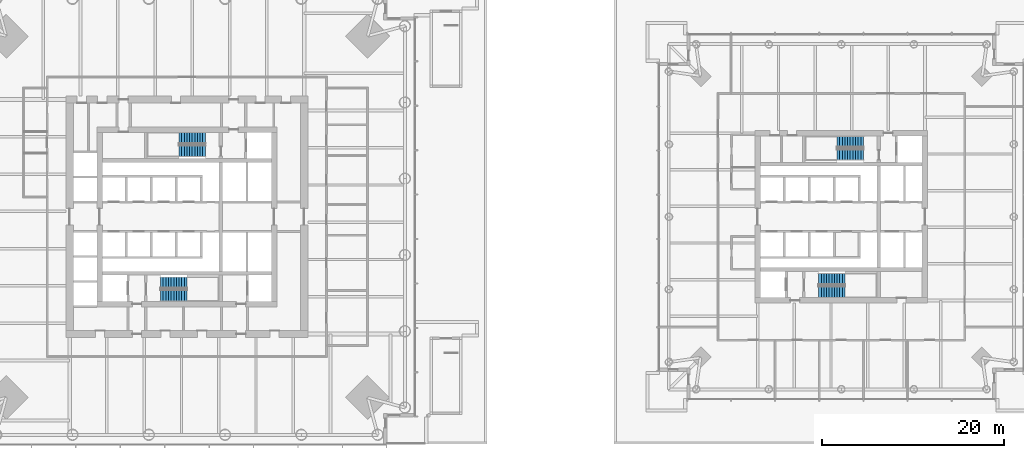
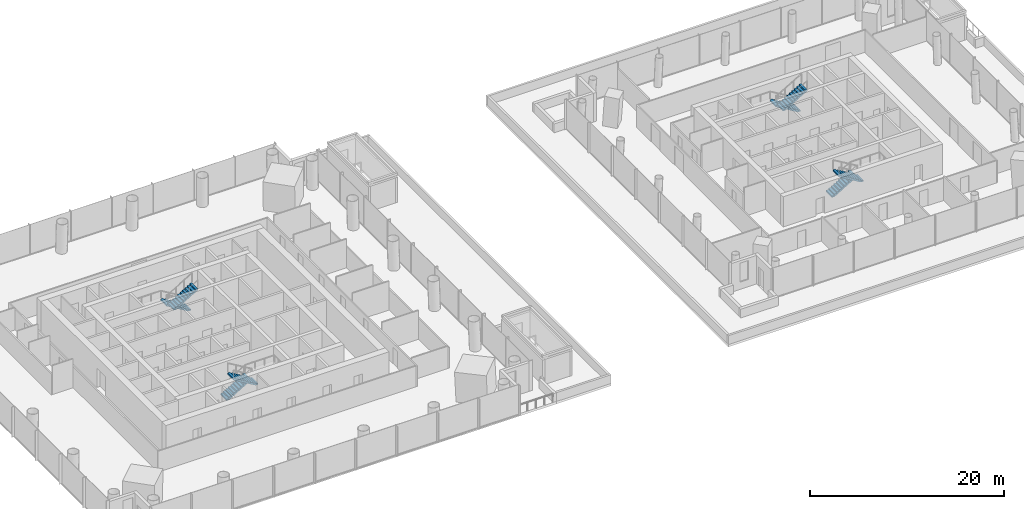
# One storey, part 17 of 19: 8 stair flights, 4 elements without a shape of their own.
"""IFC4 building model written with IfcOpenShell, lengths in metres."""

from ifc_helpers import new_model, si_unit, direction, frame, origin, place, context, subcontext, project, spatial, polyline, outline, extrude, material, type_object, element, aggregate, save


model = new_model("IFC4")

# Units and contexts
model_context = context("Model", 3, precision=1e-05, world=origin(), true_north=direction((0.0, 1.0)))
body_context = subcontext(model_context, "Body", "Model", "MODEL_VIEW")
ifc_project = project(units=[si_unit("LENGTHUNIT", "METRE"), si_unit("AREAUNIT", "SQUARE_METRE"), si_unit("VOLUMEUNIT", "CUBIC_METRE"), si_unit("PLANEANGLEUNIT", "RADIAN"), si_unit("MASSUNIT", "GRAM", prefix="KILO")], contexts=[model_context])

# Site, building, storey
site_placement = place(None, origin())
site = spatial("IfcSite", under=ifc_project, at=site_placement, CompositionType="ELEMENT")
building_placement = place(site_placement, origin())
building = spatial("IfcBuilding", under=site, at=building_placement, Name="Ostroluk Exchange", CompositionType="ELEMENT")
storey_placement = place(building_placement, frame((0.0, 0.0, 21.0)))
storey = spatial("IfcBuildingStorey", under=building, at=storey_placement, Name="L04", CompositionType="ELEMENT", Elevation=21.0)

# Stair, stair flights
ifc_material_1 = material(Name="Concrete C30/37", Category="concrete")
stair_type = type_object("IfcStairType", Name="Exit stair half turn 3800", PredefinedType="HALF_TURN_STAIR", material=ifc_material_1)
stair_1_placement = place(storey_placement, origin())
stair_1 = element("IfcStair", 1, at=stair_1_placement, inside=storey, type_object=stair_type, Name="Stair T1-S1 L04", PredefinedType="HALF_TURN_STAIR")
ifc_material_2 = material(Name="Concrete C30/37", Category="concrete")
stair_flight_type = type_object("IfcStairFlightType", Name="Stair flight 11 risers 172.7 x 290", PredefinedType="STRAIGHT", material=ifc_material_2)
stair_flight_1_placement = place(storey_placement, frame((42.10009765625, 38.77490234375, 0.0), z_axis=(0.0, 0.0, 1.0), x_axis=(1.0, 0.0, 0.0)))
stair_flight_1 = element("IfcStairFlight", 2, at=stair_flight_1_placement, type_object=stair_flight_type, Name="T1-S1 flight 1", NumberOfRisers=11, NumberOfTreads=10, PredefinedType="STRAIGHT", RiserHeight=0.172727273, TreadLength=0.29, context=body_context, shape_type="SweptSolid", body=[
    extrude(outline(polyline([(0.0, 0.0), (0.0, 0.172607421875), (0.2900390625, 0.172607421875), (0.2900390625, 0.345458984375), (0.580078125, 0.345458984375), (0.580078125, 0.51806640625), (0.8701171875, 0.51806640625), (0.8701171875, 0.69091796875), (1.159912109375, 0.69091796875), (1.159912109375, 0.863525390625), (1.449951171875, 0.863525390625), (1.449951171875, 1.036376953125), (1.739990234375, 1.036376953125), (1.739990234375, 1.208984375), (2.030029296875, 1.208984375), (2.030029296875, 1.3818359375), (2.320068359375, 1.3818359375), (2.320068359375, 1.554443359375), (2.610107421875, 1.554443359375), (2.610107421875, 1.727294921875), (2.89990234375, 1.727294921875), (2.89990234375, 1.89990234375), (2.89990234375, 1.552734375), (0.29296875, 0.0), (0.0, 0.0)])), frame((0.0, 0.625, 0.0), z_axis=(0.0, -1.0, 0.0), x_axis=(1.0, 0.0, 0.0)), (0.0, 0.0, 1.0), 1.25),
])
stair_flight_2_placement = place(storey_placement, frame((45.0, 37.324951171875, 1.89990234375), z_axis=(0.0, 0.0, 1.0), x_axis=(-1.0, 0.0, 0.0)))
stair_flight_2 = element("IfcStairFlight", 3, at=stair_flight_2_placement, type_object=stair_flight_type, Name="T1-S1 flight 2", NumberOfRisers=11, NumberOfTreads=10, PredefinedType="STRAIGHT", RiserHeight=0.172727273, TreadLength=0.29, context=body_context, shape_type="SweptSolid", body=[
    extrude(outline(polyline([(0.0, 0.0), (0.0, 0.172607421875), (0.2900390625, 0.172607421875), (0.2900390625, 0.345458984375), (0.580078125, 0.345458984375), (0.580078125, 0.51806640625), (0.8701171875, 0.51806640625), (0.8701171875, 0.69091796875), (1.159912109375, 0.69091796875), (1.159912109375, 0.863525390625), (1.449951171875, 0.863525390625), (1.449951171875, 1.036376953125), (1.739990234375, 1.036376953125), (1.739990234375, 1.208984375), (2.030029296875, 1.208984375), (2.030029296875, 1.3818359375), (2.320068359375, 1.3818359375), (2.320068359375, 1.554443359375), (2.610107421875, 1.554443359375), (2.610107421875, 1.727294921875), (2.89990234375, 1.727294921875), (2.89990234375, 1.89990234375), (2.89990234375, 1.552734375), (0.29296875, 0.0), (0.0, 0.0)])), frame((0.0, 0.625, 0.0), z_axis=(0.0, -1.0, 0.0), x_axis=(1.0, 0.0, 0.0)), (0.0, 0.0, 1.0), 1.25),
])
aggregate(stair_1, [stair_flight_1, stair_flight_2])

stair_2_placement = place(storey_placement, origin())
stair_2 = element("IfcStair", 4, at=stair_2_placement, inside=storey, type_object=stair_type, Name="Stair T1-S2 L04", PredefinedType="HALF_TURN_STAIR")
stair_flight_3_placement = place(storey_placement, frame((47.030029296875, 54.675048828125, 0.0), z_axis=(0.0, 0.0, 1.0), x_axis=(-1.0, 0.0, 0.0)))
stair_flight_3 = element("IfcStairFlight", 5, at=stair_flight_3_placement, type_object=stair_flight_type, Name="T1-S2 flight 1", NumberOfRisers=11, NumberOfTreads=10, PredefinedType="STRAIGHT", RiserHeight=0.172727273, TreadLength=0.29, context=body_context, shape_type="SweptSolid", body=[
    extrude(outline(polyline([(0.0, 0.0), (0.0, 0.172607421875), (0.2900390625, 0.172607421875), (0.2900390625, 0.345458984375), (0.580078125, 0.345458984375), (0.580078125, 0.51806640625), (0.8701171875, 0.51806640625), (0.8701171875, 0.69091796875), (1.159912109375, 0.69091796875), (1.159912109375, 0.863525390625), (1.449951171875, 0.863525390625), (1.449951171875, 1.036376953125), (1.739990234375, 1.036376953125), (1.739990234375, 1.208984375), (2.030029296875, 1.208984375), (2.030029296875, 1.3818359375), (2.320068359375, 1.3818359375), (2.320068359375, 1.554443359375), (2.610107421875, 1.554443359375), (2.610107421875, 1.727294921875), (2.89990234375, 1.727294921875), (2.89990234375, 1.89990234375), (2.89990234375, 1.552734375), (0.29296875, 0.0), (0.0, 0.0)])), frame((0.0, 0.625, 0.0), z_axis=(0.0, -1.0, 0.0), x_axis=(1.0, 0.0, 0.0)), (0.0, 0.0, 1.0), 1.25),
])
stair_flight_4_placement = place(storey_placement, frame((44.1298828125, 53.22509765625, 1.89990234375), z_axis=(0.0, 0.0, 1.0), x_axis=(1.0, 0.0, 0.0)))
stair_flight_4 = element("IfcStairFlight", 6, at=stair_flight_4_placement, type_object=stair_flight_type, Name="T1-S2 flight 2", NumberOfRisers=11, NumberOfTreads=10, PredefinedType="STRAIGHT", RiserHeight=0.172727273, TreadLength=0.29, context=body_context, shape_type="SweptSolid", body=[
    extrude(outline(polyline([(0.0, 0.0), (0.0, 0.172607421875), (0.2900390625, 0.172607421875), (0.2900390625, 0.345458984375), (0.580078125, 0.345458984375), (0.580078125, 0.51806640625), (0.8701171875, 0.51806640625), (0.8701171875, 0.69091796875), (1.159912109375, 0.69091796875), (1.159912109375, 0.863525390625), (1.449951171875, 0.863525390625), (1.449951171875, 1.036376953125), (1.739990234375, 1.036376953125), (1.739990234375, 1.208984375), (2.030029296875, 1.208984375), (2.030029296875, 1.3818359375), (2.320068359375, 1.3818359375), (2.320068359375, 1.554443359375), (2.610107421875, 1.554443359375), (2.610107421875, 1.727294921875), (2.89990234375, 1.727294921875), (2.89990234375, 1.89990234375), (2.89990234375, 1.552734375), (0.29296875, 0.0), (0.0, 0.0)])), frame((0.0, 0.625, 0.0), z_axis=(0.0, -1.0, 0.0), x_axis=(1.0, 0.0, 0.0)), (0.0, 0.0, 1.0), 1.25),
])
aggregate(stair_2, [stair_flight_3, stair_flight_4])

stair_3_placement = place(storey_placement, origin())
stair_3 = element("IfcStair", 7, at=stair_3_placement, inside=storey, type_object=stair_type, Name="Stair T2-S1 L04", PredefinedType="HALF_TURN_STAIR")
stair_flight_5_placement = place(storey_placement, frame((114.5, 39.175048828125, 0.0), z_axis=(0.0, 0.0, 1.0), x_axis=(1.0, 0.0, 0.0)))
stair_flight_5 = element("IfcStairFlight", 8, at=stair_flight_5_placement, type_object=stair_flight_type, Name="T2-S1 flight 1", NumberOfRisers=11, NumberOfTreads=10, PredefinedType="STRAIGHT", RiserHeight=0.172727273, TreadLength=0.29, context=body_context, shape_type="SweptSolid", body=[
    extrude(outline(polyline([(0.0, 0.0), (0.0, 0.172607421875), (0.2900390625, 0.172607421875), (0.2900390625, 0.345458984375), (0.580078125, 0.345458984375), (0.580078125, 0.51806640625), (0.8701171875, 0.51806640625), (0.8701171875, 0.69091796875), (1.159912109375, 0.69091796875), (1.159912109375, 0.863525390625), (1.449951171875, 0.863525390625), (1.449951171875, 1.036376953125), (1.739990234375, 1.036376953125), (1.739990234375, 1.208984375), (2.030029296875, 1.208984375), (2.030029296875, 1.3818359375), (2.320068359375, 1.3818359375), (2.320068359375, 1.554443359375), (2.610107421875, 1.554443359375), (2.610107421875, 1.727294921875), (2.89990234375, 1.727294921875), (2.89990234375, 1.89990234375), (2.89990234375, 1.552734375), (0.29296875, 0.0), (0.0, 0.0)])), frame((0.0, 0.625, 0.0), z_axis=(0.0, -1.0, 0.0), x_axis=(1.0, 0.0, 0.0)), (0.0, 0.0, 1.0), 1.25),
])
stair_flight_6_placement = place(storey_placement, frame((117.39990234375, 37.72509765625, 1.89990234375), z_axis=(0.0, 0.0, 1.0), x_axis=(-1.0, 0.0, 0.0)))
stair_flight_6 = element("IfcStairFlight", 9, at=stair_flight_6_placement, type_object=stair_flight_type, Name="T2-S1 flight 2", NumberOfRisers=11, NumberOfTreads=10, PredefinedType="STRAIGHT", RiserHeight=0.172727273, TreadLength=0.29, context=body_context, shape_type="SweptSolid", body=[
    extrude(outline(polyline([(0.0, 0.0), (0.0, 0.172607421875), (0.2900390625, 0.172607421875), (0.2900390625, 0.345458984375), (0.580078125, 0.345458984375), (0.580078125, 0.51806640625), (0.8701171875, 0.51806640625), (0.8701171875, 0.69091796875), (1.159912109375, 0.69091796875), (1.159912109375, 0.863525390625), (1.449951171875, 0.863525390625), (1.449951171875, 1.036376953125), (1.739990234375, 1.036376953125), (1.739990234375, 1.208984375), (2.030029296875, 1.208984375), (2.030029296875, 1.3818359375), (2.320068359375, 1.3818359375), (2.320068359375, 1.554443359375), (2.610107421875, 1.554443359375), (2.610107421875, 1.727294921875), (2.89990234375, 1.727294921875), (2.89990234375, 1.89990234375), (2.89990234375, 1.552734375), (0.29296875, 0.0), (0.0, 0.0)])), frame((0.0, 0.625, 0.0), z_axis=(0.0, -1.0, 0.0), x_axis=(1.0, 0.0, 0.0)), (0.0, 0.0, 1.0), 1.25),
])
aggregate(stair_3, [stair_flight_5, stair_flight_6])

stair_4_placement = place(storey_placement, origin())
stair_4 = element("IfcStair", 10, at=stair_4_placement, inside=storey, type_object=stair_type, Name="Stair T2-S2 L04", PredefinedType="HALF_TURN_STAIR")
stair_flight_7_placement = place(storey_placement, frame((119.429931640625, 54.27490234375, 0.0), z_axis=(0.0, 0.0, 1.0), x_axis=(-1.0, 0.0, 0.0)))
stair_flight_7 = element("IfcStairFlight", 11, at=stair_flight_7_placement, type_object=stair_flight_type, Name="T2-S2 flight 1", NumberOfRisers=11, NumberOfTreads=10, PredefinedType="STRAIGHT", RiserHeight=0.172727273, TreadLength=0.29, context=body_context, shape_type="SweptSolid", body=[
    extrude(outline(polyline([(0.0, 0.0), (0.0, 0.172607421875), (0.2900390625, 0.172607421875), (0.2900390625, 0.345458984375), (0.580078125, 0.345458984375), (0.580078125, 0.51806640625), (0.8701171875, 0.51806640625), (0.8701171875, 0.69091796875), (1.159912109375, 0.69091796875), (1.159912109375, 0.863525390625), (1.449951171875, 0.863525390625), (1.449951171875, 1.036376953125), (1.739990234375, 1.036376953125), (1.739990234375, 1.208984375), (2.030029296875, 1.208984375), (2.030029296875, 1.3818359375), (2.320068359375, 1.3818359375), (2.320068359375, 1.554443359375), (2.610107421875, 1.554443359375), (2.610107421875, 1.727294921875), (2.89990234375, 1.727294921875), (2.89990234375, 1.89990234375), (2.89990234375, 1.552734375), (0.29296875, 0.0), (0.0, 0.0)])), frame((0.0, 0.625, 0.0), z_axis=(0.0, -1.0, 0.0), x_axis=(1.0, 0.0, 0.0)), (0.0, 0.0, 1.0), 1.25),
])
stair_flight_8_placement = place(storey_placement, frame((116.530029296875, 52.824951171875, 1.89990234375), z_axis=(0.0, 0.0, 1.0), x_axis=(1.0, 0.0, 0.0)))
stair_flight_8 = element("IfcStairFlight", 12, at=stair_flight_8_placement, type_object=stair_flight_type, Name="T2-S2 flight 2", NumberOfRisers=11, NumberOfTreads=10, PredefinedType="STRAIGHT", RiserHeight=0.172727273, TreadLength=0.29, context=body_context, shape_type="SweptSolid", body=[
    extrude(outline(polyline([(0.0, 0.0), (0.0, 0.172607421875), (0.2900390625, 0.172607421875), (0.2900390625, 0.345458984375), (0.580078125, 0.345458984375), (0.580078125, 0.51806640625), (0.8701171875, 0.51806640625), (0.8701171875, 0.69091796875), (1.159912109375, 0.69091796875), (1.159912109375, 0.863525390625), (1.449951171875, 0.863525390625), (1.449951171875, 1.036376953125), (1.739990234375, 1.036376953125), (1.739990234375, 1.208984375), (2.030029296875, 1.208984375), (2.030029296875, 1.3818359375), (2.320068359375, 1.3818359375), (2.320068359375, 1.554443359375), (2.610107421875, 1.554443359375), (2.610107421875, 1.727294921875), (2.89990234375, 1.727294921875), (2.89990234375, 1.89990234375), (2.89990234375, 1.552734375), (0.29296875, 0.0), (0.0, 0.0)])), frame((0.0, 0.625, 0.0), z_axis=(0.0, -1.0, 0.0), x_axis=(1.0, 0.0, 0.0)), (0.0, 0.0, 1.0), 1.25),
])
aggregate(stair_4, [stair_flight_7, stair_flight_8])

save(model, "model.ifc")
